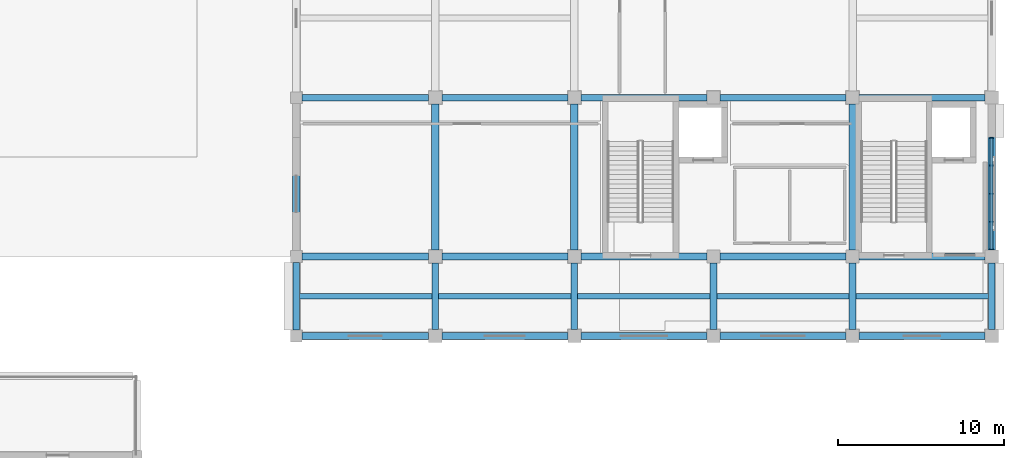
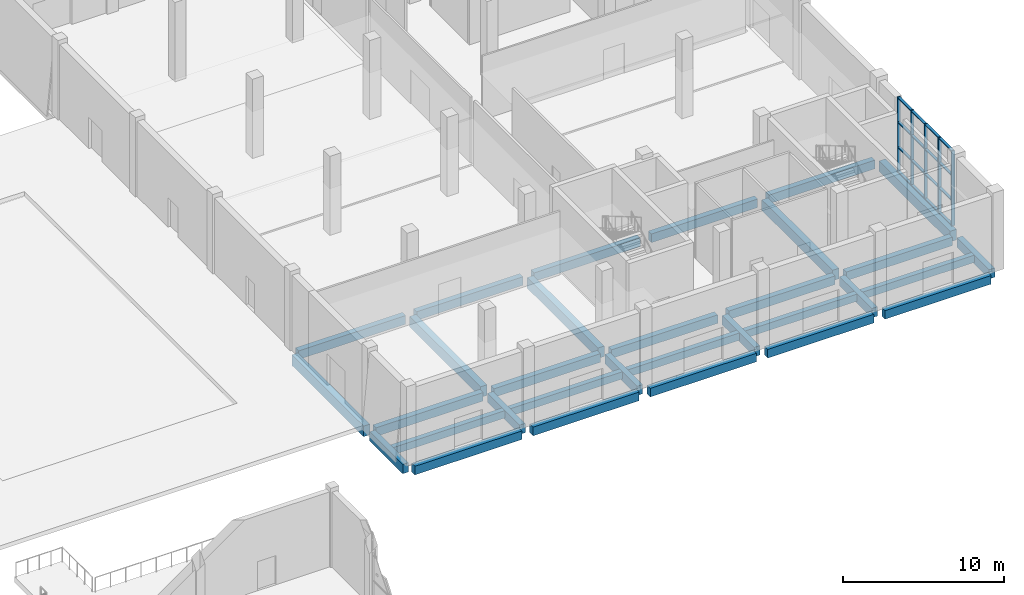
# One storey, part 35 of 84: 31 beams, 9 members, 1 element without a shape of its own.
"""IFC4 building model written with IfcOpenShell, lengths in metres."""

from ifc_helpers import new_model, si_unit, direction, frame, origin, origin_2d, place, context, subcontext, project, spatial, rectangle, extrude, material, material_profile, profile_set, type_object, element, aggregate, save


model = new_model("IFC4")

# Units and contexts
model_context = context("Model", 3, precision=1e-05, world=origin(), true_north=direction((0.0, 1.0)))
body_context = subcontext(model_context, "Body", "Model", "MODEL_VIEW")
ifc_project = project(units=[si_unit("LENGTHUNIT", "METRE"), si_unit("AREAUNIT", "SQUARE_METRE"), si_unit("VOLUMEUNIT", "CUBIC_METRE"), si_unit("PLANEANGLEUNIT", "RADIAN"), si_unit("MASSUNIT", "GRAM", prefix="KILO")], contexts=[model_context])

# Site, building, storey
site_placement = place(None, origin())
site = spatial("IfcSite", under=ifc_project, at=site_placement, CompositionType="ELEMENT")
building_placement = place(site_placement, origin())
building = spatial("IfcBuilding", under=site, at=building_placement, Name="Shalvenor Court Art Gallery", CompositionType="ELEMENT")
storey_placement = place(building_placement, origin())
storey = spatial("IfcBuildingStorey", under=building, at=storey_placement, Name="L00", CompositionType="ELEMENT", Elevation=0.0)

# Beams
ifc_material_1 = material(Name="Concrete C40/50", Category="concrete")
ifc_material_profile_1 = material_profile(ifc_material_1, rectangle(XDim=0.449951171875, YDim=0.800048828125, at=origin_2d()), Name="RC 450x800")
ifc_profile_set_1 = profile_set([ifc_material_profile_1], Name="Concrete C40/50")
beam_type_1 = type_object("IfcBeamType", Name="B-03", PredefinedType="BEAM", material=ifc_profile_set_1)
beam_1_placement = place(storey_placement, frame((134.39990234375, 50.75, -0.739990234375), z_axis=(0.0, 1.0, 0.0), x_axis=(-1.0, 0.0, 0.0)))
element("IfcBeam", 1, at=beam_1_placement, inside=storey, type_object=beam_type_1, Name="L00 Girder BM-L00-B-03-0107", PredefinedType="BEAM", context=body_context, shape_type="SweptSolid", body=[
    extrude(rectangle(XDim=0.449951171875, YDim=0.800048828125, at=origin_2d()), origin(), (0.0, 0.0, 1.0), 8.89990234375),
])
for number, where, z_axis, x_axis, name in (
    (2, (142.800048828125, 50.800048828125, -0.739990234375), (0.0, 1.0, 0.0), (-1.0, 0.0, 0.0), "L00 Girder BM-L00-B-03-0113"),
    (3, (151.199951171875, 50.800048828125, -0.739990234375), (0.0, 1.0, 0.0), (-1.0, 0.0, 0.0), "L00 Girder BM-L00-B-03-0119"),
    (4, (168.0, 50.800048828125, -0.739990234375), (0.0, 1.0, 0.0), (-1.0, 0.0, 0.0), "L00 Girder BM-L00-B-03-0128"),
    (5, (176.39990234375, 50.800048828125, -0.739990234375), (0.0, 1.0, 0.0), (-1.0, 0.0, 0.0), "L00 Girder BM-L00-B-03-0134"),
):
    element("IfcBeam", number, at=place(storey_placement, frame(where, z_axis=z_axis, x_axis=x_axis)), inside=storey, type_object=beam_type_1, Name=name, PredefinedType="BEAM", context=body_context, shape_type="SweptSolid", body=[
        extrude(rectangle(XDim=0.449951171875, YDim=0.800048828125, at=origin_2d()), origin(), (0.0, 0.0, 1.0), 8.800048828125),
    ])
ifc_material_2 = material(Name="Concrete C40/50", Category="concrete")
ifc_material_profile_2 = material_profile(ifc_material_2, rectangle(XDim=0.39990234375, YDim=0.699951171875, at=origin_2d()), Name="RC 400x700")
ifc_profile_set_2 = profile_set([ifc_material_profile_2], Name="Concrete C40/50")
beam_type_2 = type_object("IfcBeamType", Name="B-05", PredefinedType="BEAM", material=ifc_profile_set_2)
beam_2_placement = place(storey_placement, frame((134.39990234375, 45.949951171875, -0.68994140625), z_axis=(0.0, 1.0, 0.0), x_axis=(-1.0, 0.0, 0.0)))
element("IfcBeam", 6, at=beam_2_placement, inside=storey, type_object=beam_type_2, Name="L00 Girder BM-L00-B-05-0106", PredefinedType="BEAM", context=body_context, shape_type="SweptSolid", body=[
    extrude(rectangle(XDim=0.39990234375, YDim=0.699951171875, at=origin_2d()), origin(), (0.0, 0.0, 1.0), 4.10009765625),
])
for number, where, z_axis, x_axis, name in (
    (7, (142.800048828125, 46.0, -0.68994140625), (0.0, 1.0, 0.0), (-1.0, 0.0, 0.0), "L00 Girder BM-L00-B-05-0112"),
    (8, (151.199951171875, 46.0, -0.68994140625), (0.0, 1.0, 0.0), (-1.0, 0.0, 0.0), "L00 Girder BM-L00-B-05-0118"),
    (9, (159.60009765625, 46.0, -0.68994140625), (0.0, 1.0, 0.0), (-1.0, 0.0, 0.0), "L00 Girder BM-L00-B-05-0124"),
    (10, (168.0, 46.0, -0.68994140625), (0.0, 1.0, 0.0), (-1.0, 0.0, 0.0), "L00 Girder BM-L00-B-05-0127"),
    (11, (176.39990234375, 46.0, -0.68994140625), (0.0, 1.0, 0.0), (-1.0, 0.0, 0.0), "L00 Girder BM-L00-B-05-0133"),
):
    element("IfcBeam", number, at=place(storey_placement, frame(where, z_axis=z_axis, x_axis=x_axis)), inside=storey, type_object=beam_type_2, Name=name, PredefinedType="BEAM", context=body_context, shape_type="SweptSolid", body=[
        extrude(rectangle(XDim=0.39990234375, YDim=0.699951171875, at=origin_2d()), origin(), (0.0, 0.0, 1.0), 4.0),
    ])
ifc_material_3 = material(Name="Concrete C40/50", Category="concrete")
ifc_material_profile_3 = material_profile(ifc_material_3, rectangle(XDim=0.39990234375, YDim=0.64990234375, at=origin_2d()), Name="RC 400x650")
ifc_profile_set_3 = profile_set([ifc_material_profile_3], Name="Concrete C40/50")
beam_type_3 = type_object("IfcBeamType", Name="B-06", PredefinedType="BEAM", material=ifc_profile_set_3)
beam_3_placement = place(storey_placement, frame((134.75, 45.60009765625, -0.6650390625), z_axis=(1.0, 0.0, 0.0), x_axis=(0.0, 1.0, 0.0)))
element("IfcBeam", 12, at=beam_3_placement, inside=storey, type_object=beam_type_3, Name="L00 Girder BM-L00-B-06-0192", PredefinedType="BEAM", context=body_context, shape_type="SweptSolid", body=[
    extrude(rectangle(XDim=0.39990234375, YDim=0.64990234375, at=origin_2d()), origin(), (0.0, 0.0, 1.0), 7.64990234375),
])
beam_4_placement = place(storey_placement, frame((143.199951171875, 45.60009765625, -0.6650390625), z_axis=(1.0, 0.0, 0.0), x_axis=(0.0, 1.0, 0.0)))
element("IfcBeam", 13, at=beam_4_placement, inside=storey, type_object=beam_type_3, Name="L00 Girder BM-L00-B-06-0193", PredefinedType="BEAM", context=body_context, shape_type="SweptSolid", body=[
    extrude(rectangle(XDim=0.39990234375, YDim=0.64990234375, at=origin_2d()), origin(), (0.0, 0.0, 1.0), 7.60009765625),
])
beam_5_placement = place(storey_placement, frame((151.60009765625, 45.60009765625, -0.6650390625), z_axis=(1.0, 0.0, 0.0), x_axis=(0.0, 1.0, 0.0)))
element("IfcBeam", 14, at=beam_5_placement, inside=storey, type_object=beam_type_3, Name="L00 Girder BM-L00-B-06-0194", PredefinedType="BEAM", context=body_context, shape_type="SweptSolid", body=[
    extrude(rectangle(XDim=0.39990234375, YDim=0.64990234375, at=origin_2d()), origin(), (0.0, 0.0, 1.0), 7.599853515625),
])
for number, where, z_axis, x_axis, name in (
    (15, (160.0, 45.60009765625, -0.6650390625), (1.0, 0.0, 0.0), (0.0, 1.0, 0.0), "L00 Girder BM-L00-B-06-0195"),
    (16, (168.39990234375, 45.60009765625, -0.6650390625), (1.0, 0.0, 0.0), (0.0, 1.0, 0.0), "L00 Girder BM-L00-B-06-0196"),
):
    element("IfcBeam", number, at=place(storey_placement, frame(where, z_axis=z_axis, x_axis=x_axis)), inside=storey, type_object=beam_type_3, Name=name, PredefinedType="BEAM", context=body_context, shape_type="SweptSolid", body=[
        extrude(rectangle(XDim=0.39990234375, YDim=0.64990234375, at=origin_2d()), origin(), (0.0, 0.0, 1.0), 7.60009765625),
    ])
beam_6_placement = place(storey_placement, frame((134.75, 50.39990234375, -0.6650390625), z_axis=(1.0, 0.0, 0.0), x_axis=(0.0, 1.0, 0.0)))
element("IfcBeam", 17, at=beam_6_placement, inside=storey, type_object=beam_type_3, Name="L00 Girder BM-L00-B-06-0198", PredefinedType="BEAM", context=body_context, shape_type="SweptSolid", body=[
    extrude(rectangle(XDim=0.39990234375, YDim=0.64990234375, at=origin_2d()), origin(), (0.0, 0.0, 1.0), 7.64990234375),
])
beam_7_placement = place(storey_placement, frame((143.199951171875, 50.39990234375, -0.6650390625), z_axis=(1.0, 0.0, 0.0), x_axis=(0.0, 1.0, 0.0)))
element("IfcBeam", 18, at=beam_7_placement, inside=storey, type_object=beam_type_3, Name="L00 Girder BM-L00-B-06-0199", PredefinedType="BEAM", context=body_context, shape_type="SweptSolid", body=[
    extrude(rectangle(XDim=0.39990234375, YDim=0.64990234375, at=origin_2d()), origin(), (0.0, 0.0, 1.0), 7.60009765625),
])
beam_8_placement = place(storey_placement, frame((151.60009765625, 50.39990234375, -0.6650390625), z_axis=(1.0, 0.0, 0.0), x_axis=(0.0, 1.0, 0.0)))
element("IfcBeam", 19, at=beam_8_placement, inside=storey, type_object=beam_type_3, Name="L00 Girder BM-L00-B-06-0200", PredefinedType="BEAM", context=body_context, shape_type="SweptSolid", body=[
    extrude(rectangle(XDim=0.39990234375, YDim=0.64990234375, at=origin_2d()), origin(), (0.0, 0.0, 1.0), 7.599853515625),
])
for number, where, z_axis, x_axis, name in (
    (20, (160.0, 50.39990234375, -0.6650390625), (1.0, 0.0, 0.0), (0.0, 1.0, 0.0), "L00 Girder BM-L00-B-06-0201"),
    (21, (168.39990234375, 50.39990234375, -0.6650390625), (1.0, 0.0, 0.0), (0.0, 1.0, 0.0), "L00 Girder BM-L00-B-06-0202"),
):
    element("IfcBeam", number, at=place(storey_placement, frame(where, z_axis=z_axis, x_axis=x_axis)), inside=storey, type_object=beam_type_3, Name=name, PredefinedType="BEAM", context=body_context, shape_type="SweptSolid", body=[
        extrude(rectangle(XDim=0.39990234375, YDim=0.64990234375, at=origin_2d()), origin(), (0.0, 0.0, 1.0), 7.60009765625),
    ])
beam_9_placement = place(storey_placement, frame((134.75, 60.0, -0.6650390625), z_axis=(1.0, 0.0, 0.0), x_axis=(0.0, 1.0, 0.0)))
element("IfcBeam", 22, at=beam_9_placement, inside=storey, type_object=beam_type_3, Name="L00 Girder BM-L00-B-06-0206", PredefinedType="BEAM", context=body_context, shape_type="SweptSolid", body=[
    extrude(rectangle(XDim=0.39990234375, YDim=0.64990234375, at=origin_2d()), origin(), (0.0, 0.0, 1.0), 7.64990234375),
])
beam_10_placement = place(storey_placement, frame((143.199951171875, 60.0, -0.6650390625), z_axis=(1.0, 0.0, 0.0), x_axis=(0.0, 1.0, 0.0)))
element("IfcBeam", 23, at=beam_10_placement, inside=storey, type_object=beam_type_3, Name="L00 Girder BM-L00-B-06-0207", PredefinedType="BEAM", context=body_context, shape_type="SweptSolid", body=[
    extrude(rectangle(XDim=0.39990234375, YDim=0.64990234375, at=origin_2d()), origin(), (0.0, 0.0, 1.0), 7.60009765625),
])
beam_11_placement = place(storey_placement, frame((151.60009765625, 60.0, -0.6650390625), z_axis=(1.0, 0.0, 0.0), x_axis=(0.0, 1.0, 0.0)))
element("IfcBeam", 24, at=beam_11_placement, inside=storey, type_object=beam_type_3, Name="L00 Girder BM-L00-B-06-0208", PredefinedType="BEAM", context=body_context, shape_type="SweptSolid", body=[
    extrude(rectangle(XDim=0.39990234375, YDim=0.64990234375, at=origin_2d()), origin(), (0.0, 0.0, 1.0), 7.599853515625),
])
for number, where, z_axis, x_axis, name in (
    (25, (160.0, 60.0, -0.6650390625), (1.0, 0.0, 0.0), (0.0, 1.0, 0.0), "L00 Girder BM-L00-B-06-0209"),
    (26, (168.39990234375, 60.0, -0.6650390625), (1.0, 0.0, 0.0), (0.0, 1.0, 0.0), "L00 Girder BM-L00-B-06-0210"),
):
    element("IfcBeam", number, at=place(storey_placement, frame(where, z_axis=z_axis, x_axis=x_axis)), inside=storey, type_object=beam_type_3, Name=name, PredefinedType="BEAM", context=body_context, shape_type="SweptSolid", body=[
        extrude(rectangle(XDim=0.39990234375, YDim=0.64990234375, at=origin_2d()), origin(), (0.0, 0.0, 1.0), 7.60009765625),
    ])

# Curtain wall, members
ifc_material_4 = material(Name="Anodised aluminium and low-iron glass curtain wall", Category="aluminium")
curtain_wall_type = type_object("IfcCurtainWallType", Name="CW-4x3-68-57-442", PredefinedType="USERDEFINED", material=ifc_material_4)
curtain_wall_placement = place(storey_placement, origin())
curtain_wall = element("IfcCurtainWall", 27, at=curtain_wall_placement, inside=storey, type_object=curtain_wall_type, Name="L00 V1 Curtain Wall CW-L00-002", ObjectType="CURTAIN WALL", PredefinedType="USERDEFINED")
ifc_material_5 = material(Name="Anodised aluminium mullion", Category="aluminium")
ifc_material_profile_4 = material_profile(ifc_material_5, rectangle(XDim=0.074951171875, YDim=0.219970703125, at=origin_2d()), Name="CWM-04")
ifc_profile_set_4 = profile_set([ifc_material_profile_4], Name="Anodised aluminium mullion")
member_type_1 = type_object("IfcMemberType", Name="CWM-04", PredefinedType="MULLION", material=ifc_profile_set_4)
member_1_placement = place(storey_placement, frame((176.39990234375, 57.5625, 0.0), z_axis=(0.0, 0.0, 1.0), x_axis=(0.0, -1.0, 0.0)))
member_1 = element("IfcMember", 28, at=member_1_placement, type_object=member_type_1, Name="CW-4x3-68-57-442 mullion 1", PredefinedType="MULLION", context=body_context, shape_type="SweptSolid", body=[
    extrude(rectangle(XDim=0.074951171875, YDim=0.219970703125, at=origin_2d()), origin(), (0.0, 0.0, 1.0), 5.679931640625),
])
member_2_placement = place(storey_placement, frame((176.39990234375, 55.89990234375, 0.0), z_axis=(0.0, 0.0, 1.0), x_axis=(0.0, -1.0, 0.0)))
member_2 = element("IfcMember", 29, at=member_2_placement, type_object=member_type_1, Name="CW-4x3-68-57-442 mullion 2", PredefinedType="MULLION", context=body_context, shape_type="SweptSolid", body=[
    extrude(rectangle(XDim=0.074951171875, YDim=0.219970703125, at=origin_2d()), origin(), (0.0, 0.0, 1.0), 5.679931640625),
])
member_3_placement = place(storey_placement, frame((176.39990234375, 54.199951171875, 0.0), z_axis=(0.0, 0.0, 1.0), x_axis=(0.0, -1.0, 0.0)))
member_3 = element("IfcMember", 30, at=member_3_placement, type_object=member_type_1, Name="CW-4x3-68-57-442 mullion 3", PredefinedType="MULLION", context=body_context, shape_type="SweptSolid", body=[
    extrude(rectangle(XDim=0.074951171875, YDim=0.219970703125, at=origin_2d()), origin(), (0.0, 0.0, 1.0), 5.679931640625),
])
member_4_placement = place(storey_placement, frame((176.39990234375, 52.5, 0.0), z_axis=(0.0, 0.0, 1.0), x_axis=(0.0, -1.0, 0.0)))
member_4 = element("IfcMember", 31, at=member_4_placement, type_object=member_type_1, Name="CW-4x3-68-57-442 mullion 4", PredefinedType="MULLION", context=body_context, shape_type="SweptSolid", body=[
    extrude(rectangle(XDim=0.074951171875, YDim=0.219970703125, at=origin_2d()), origin(), (0.0, 0.0, 1.0), 5.679931640625),
])
member_5_placement = place(storey_placement, frame((176.39990234375, 50.83740234375, 0.0), z_axis=(0.0, 0.0, 1.0), x_axis=(0.0, -1.0, 0.0)))
member_5 = element("IfcMember", 32, at=member_5_placement, type_object=member_type_1, Name="CW-4x3-68-57-442 mullion 5", PredefinedType="MULLION", context=body_context, shape_type="SweptSolid", body=[
    extrude(rectangle(XDim=0.074951171875, YDim=0.219970703125, at=origin_2d()), origin(), (0.0, 0.0, 1.0), 5.679931640625),
])
ifc_material_6 = material(Name="Anodised aluminium transom", Category="aluminium")
ifc_material_profile_5 = material_profile(ifc_material_6, rectangle(XDim=0.18994140625, YDim=0.070068359375, at=origin_2d()), Name="CWT-04")
ifc_profile_set_5 = profile_set([ifc_material_profile_5], Name="Anodised aluminium transom")
member_type_2 = type_object("IfcMemberType", Name="CWT-04", PredefinedType="USERDEFINED", material=ifc_profile_set_5)
member_6_placement = place(storey_placement, frame((176.39990234375, 57.5625, 0.034912109375), z_axis=(0.0, -1.0, 0.0), x_axis=(1.0, 0.0, 0.0)))
member_6 = element("IfcMember", 33, at=member_6_placement, type_object=member_type_2, Name="CW-4x3-68-57-442 transom 1", ObjectType="TRANSOM", PredefinedType="USERDEFINED", context=body_context, shape_type="SweptSolid", body=[
    extrude(rectangle(XDim=0.18994140625, YDim=0.070068359375, at=origin_2d()), origin(), (0.0, 0.0, 1.0), 6.72509765625),
])
member_7_placement = place(storey_placement, frame((176.39990234375, 57.5625, 1.893310546875), z_axis=(0.0, -1.0, 0.0), x_axis=(1.0, 0.0, 0.0)))
member_7 = element("IfcMember", 34, at=member_7_placement, type_object=member_type_2, Name="CW-4x3-68-57-442 transom 2", ObjectType="TRANSOM", PredefinedType="USERDEFINED", context=body_context, shape_type="SweptSolid", body=[
    extrude(rectangle(XDim=0.18994140625, YDim=0.070068359375, at=origin_2d()), origin(), (0.0, 0.0, 1.0), 6.72509765625),
])
member_8_placement = place(storey_placement, frame((176.39990234375, 57.5625, 3.78662109375), z_axis=(0.0, -1.0, 0.0), x_axis=(1.0, 0.0, 0.0)))
member_8 = element("IfcMember", 35, at=member_8_placement, type_object=member_type_2, Name="CW-4x3-68-57-442 transom 3", ObjectType="TRANSOM", PredefinedType="USERDEFINED", context=body_context, shape_type="SweptSolid", body=[
    extrude(rectangle(XDim=0.18994140625, YDim=0.070068359375, at=origin_2d()), origin(), (0.0, 0.0, 1.0), 6.72509765625),
])
member_9_placement = place(storey_placement, frame((176.39990234375, 57.5625, 5.64501953125), z_axis=(0.0, -1.0, 0.0), x_axis=(1.0, 0.0, 0.0)))
member_9 = element("IfcMember", 36, at=member_9_placement, type_object=member_type_2, Name="CW-4x3-68-57-442 transom 4", ObjectType="TRANSOM", PredefinedType="USERDEFINED", context=body_context, shape_type="SweptSolid", body=[
    extrude(rectangle(XDim=0.18994140625, YDim=0.070068359375, at=origin_2d()), origin(), (0.0, 0.0, 1.0), 6.72509765625),
])
aggregate(curtain_wall, [member_1, member_2, member_3, member_4, member_5, member_6, member_7, member_8, member_9])

# Beams
ifc_material_7 = material(Name="Concrete C40/50", Category="concrete")
ifc_material_profile_6 = material_profile(ifc_material_7, rectangle(XDim=0.35009765625, YDim=0.550048828125, at=origin_2d()), Name="RC 350x550")
ifc_profile_set_6 = profile_set([ifc_material_profile_6], Name="Concrete C40/50")
beam_type_4 = type_object("IfcBeamType", Name="J-02", PredefinedType="JOIST", material=ifc_profile_set_6)
for number, where, z_axis, x_axis, name in (
    (37, (134.60009765625, 48.0, -0.614990234375), (1.0, 0.0, 0.0), (0.0, 1.0, 0.0), "L00 Secondary Beam JST-L00-J-02-0337"),
    (38, (143.0, 48.0, -0.614990234375), (1.0, 0.0, 0.0), (0.0, 1.0, 0.0), "L00 Secondary Beam JST-L00-J-02-0342"),
    (39, (151.39990234375, 48.0, -0.614990234375), (1.0, 0.0, 0.0), (0.0, 1.0, 0.0), "L00 Secondary Beam JST-L00-J-02-0347"),
    (40, (159.800048828125, 48.0, -0.614990234375), (1.0, 0.0, 0.0), (0.0, 1.0, 0.0), "L00 Secondary Beam JST-L00-J-02-0350"),
    (41, (168.199951171875, 48.0, -0.614990234375), (1.0, 0.0, 0.0), (0.0, 1.0, 0.0), "L00 Secondary Beam JST-L00-J-02-0353"),
):
    element("IfcBeam", number, at=place(storey_placement, frame(where, z_axis=z_axis, x_axis=x_axis)), inside=storey, type_object=beam_type_4, Name=name, PredefinedType="JOIST", context=body_context, shape_type="SweptSolid", body=[
        extrude(rectangle(XDim=0.35009765625, YDim=0.550048828125, at=origin_2d()), origin(), (0.0, 0.0, 1.0), 8.0),
    ])

save(model, "model.ifc")
